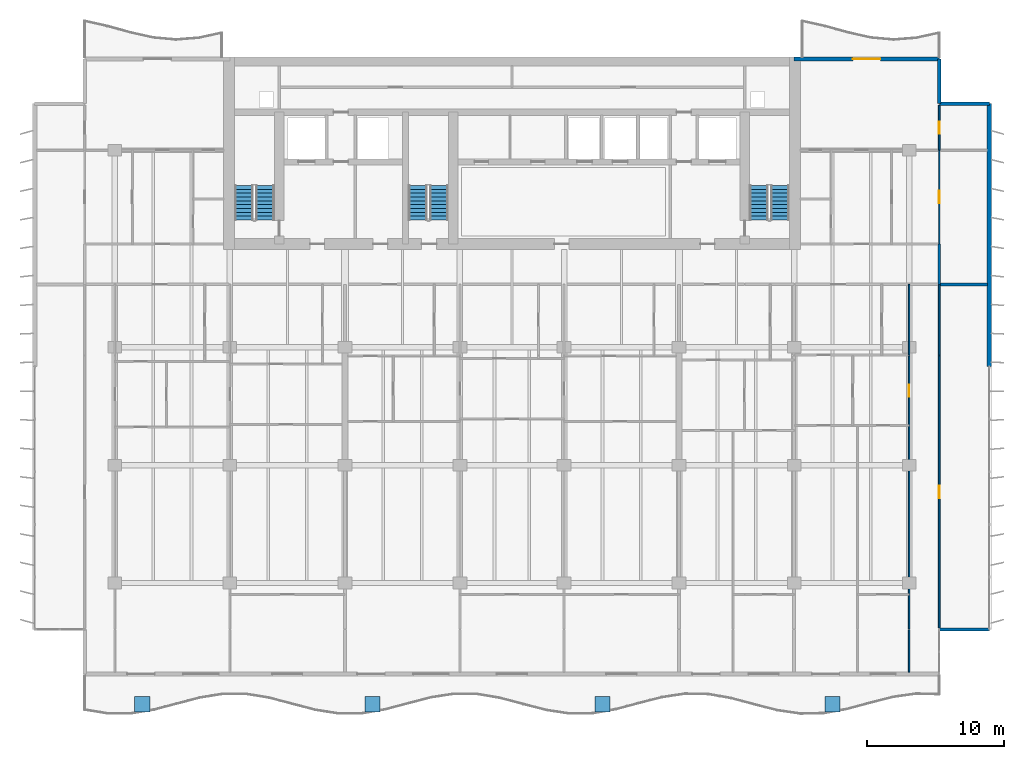
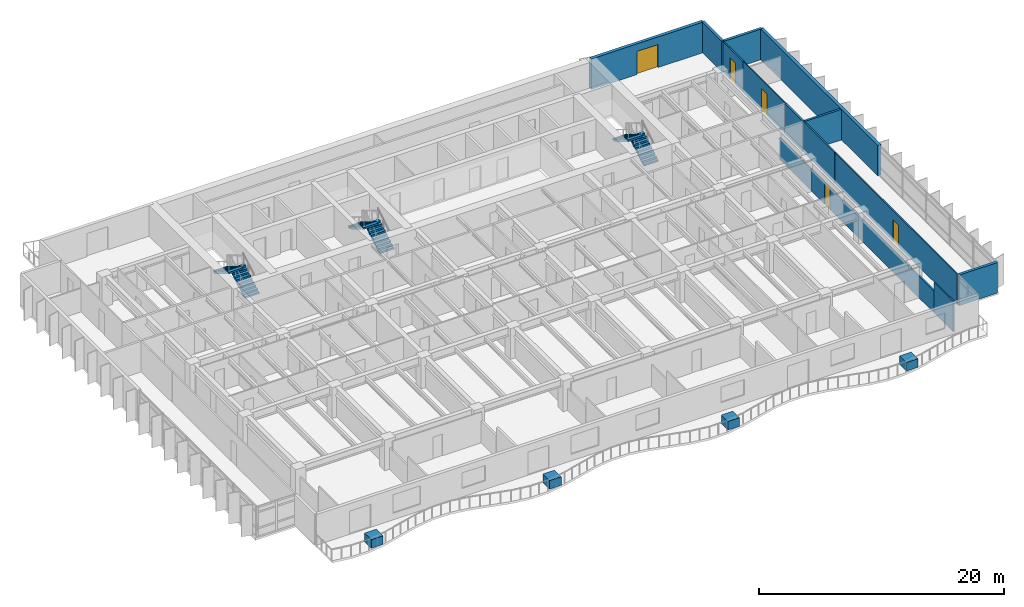
# One storey, part 11 of 15: 14 walls, 6 stair flights, 5 doors, 4 discrete accessories, 5 openings, 3 elements without a shape of their own.
"""IFC4 building model written with IfcOpenShell, lengths in metres."""

from ifc_helpers import new_model, si_unit, direction, frame, frame_2d, origin, origin_2d, place, context, subcontext, project, spatial, polyline, rectangle, outline, extrude, material, layer, layer_set, type_object, element, fill, aggregate, save


model = new_model("IFC4")

# Units and contexts
model_context = context("Model", 3, precision=1e-05, world=origin(), true_north=direction((0.0, 1.0)))
body_context = subcontext(model_context, "Body", "Model", "MODEL_VIEW")
ifc_project = project(units=[si_unit("LENGTHUNIT", "METRE"), si_unit("AREAUNIT", "SQUARE_METRE"), si_unit("VOLUMEUNIT", "CUBIC_METRE"), si_unit("PLANEANGLEUNIT", "RADIAN"), si_unit("MASSUNIT", "GRAM", prefix="KILO")], contexts=[model_context])

# Site, building, storey
site_placement = place(None, origin())
site = spatial("IfcSite", under=ifc_project, at=site_placement, CompositionType="ELEMENT")
building_placement = place(site_placement, origin())
building = spatial("IfcBuilding", under=site, at=building_placement, Name="Caelmar Bay Residences", CompositionType="ELEMENT")
storey_placement = place(building_placement, frame((0.0, 0.0, 132.300048828125)))
storey = spatial("IfcBuildingStorey", under=building, at=storey_placement, Name="L36", CompositionType="ELEMENT", Elevation=132.300048828125)

# Walls
ifc_material_1 = material(Name="Double-stud acoustic fire-rated gypsum partition 180 mm")
ifc_layer_1 = layer(ifc_material_1, 0.179931640625)
ifc_layer_set_1 = layer_set([ifc_layer_1], Name="Double-stud acoustic fire-rated gypsum partition 180 mm")
wall_type_1 = type_object("IfcWallType", Name="W-COR-200", PredefinedType="PARTITIONING", material=ifc_layer_set_1)
wall_1_placement = place(storey_placement, frame((70.10009765625, 34.0048828125, 0.0), z_axis=(0.0, 0.0, 1.0), x_axis=(0.0, 1.0, 0.0)))
element("IfcWall", 1, at=wall_1_placement, inside=storey, type_object=wall_type_1, Name="L36 Partition Wall V068", PredefinedType="PARTITIONING", context=body_context, shape_type="SweptSolid", body=[
    extrude(rectangle(XDim=2.945068359375, YDim=0.179931640625, at=frame_2d((1.47265625, 0.0))), origin(), (0.0, 0.0, 1.0), 3.050048828125),
])
ifc_material_2 = material(Name="Precast concrete f'c 40 MPa (6,000 psi)", Category="concrete")
ifc_layer_2 = layer(ifc_material_2, 0.25)
ifc_layer_set_2 = layer_set([ifc_layer_2], Name="Precast concrete f'c 40 MPa (6,000 psi)")
wall_type_2 = type_object("IfcWallType", Name="W-EXT-250", PredefinedType="ELEMENTEDWALL", material=ifc_layer_set_2)
wall_2_placement = place(storey_placement, frame((70.10009765625, 8.800048828125, 0.0), z_axis=(0.0, 0.0, 1.0), x_axis=(1.0, 0.0, 0.0)))
element("IfcWall", 2, at=wall_2_placement, inside=storey, type_object=wall_type_2, Name="L36 SE Notch Return Wall", PredefinedType="ELEMENTEDWALL", context=body_context, shape_type="SweptSolid", body=[
    extrude(rectangle(XDim=3.64990234375, YDim=0.25, at=frame_2d((1.824951171875, 0.0))), origin(), (0.0, 0.0, 1.0), 3.050048828125),
])
wall_3_placement = place(storey_placement, frame((70.10009765625, 50.449951171875, 0.0), z_axis=(0.0, 0.0, 1.0), x_axis=(0.0, -1.0, 0.0)))
element("IfcWall", 3, at=wall_3_placement, inside=storey, type_object=wall_type_2, Name="L36 NNE-V Notch Wall", PredefinedType="ELEMENTEDWALL", context=body_context, shape_type="SweptSolid", body=[
    extrude(rectangle(XDim=3.25, YDim=0.25, at=frame_2d((1.625, 0.0))), origin(), (0.0, 0.0, 1.0), 3.050048828125),
])
wall_4_placement = place(storey_placement, frame((70.10009765625, 47.199951171875, 0.0), z_axis=(0.0, 0.0, 1.0), x_axis=(1.0, 0.0, 0.0)))
element("IfcWall", 4, at=wall_4_placement, inside=storey, type_object=wall_type_2, Name="L36 NNE-H Notch Wall", PredefinedType="ELEMENTEDWALL", context=body_context, shape_type="SweptSolid", body=[
    extrude(rectangle(XDim=3.64990234375, YDim=0.25, at=frame_2d((1.824951171875, 0.0))), origin(), (0.0, 0.0, 1.0), 3.050048828125),
])
ifc_layer_3 = layer(ifc_material_2, 0.300048828125)
ifc_layer_set_3 = layer_set([ifc_layer_3], Name="Precast concrete f'c 40 MPa (6,000 psi)")
wall_type_3 = type_object("IfcWallType", Name="W-EXT-300", PredefinedType="STANDARD", material=ifc_layer_set_3)
wall_5_placement = place(storey_placement, frame((73.75, 47.199951171875, 0.0), z_axis=(0.0, 0.0, 1.0), x_axis=(0.0, -1.0, 0.0)))
element("IfcWall", 5, at=wall_5_placement, inside=storey, type_object=wall_type_3, Name="L36 East Rear Exterior Wall", PredefinedType="STANDARD", context=body_context, shape_type="SweptSolid", body=[
    extrude(rectangle(XDim=19.199951171875, YDim=0.300048828125, at=frame_2d((9.60009765625, 0.0))), origin(), (0.0, 0.0, 1.0), 3.050048828125),
])

# Wall, opening, door
wall_6_placement = place(storey_placement, frame((59.5, 50.449951171875, 0.0), z_axis=(0.0, 0.0, 1.0), x_axis=(1.0, 0.0, 0.0)))
wall_6 = element("IfcWall", 6, at=wall_6_placement, inside=storey, type_object=wall_type_3, Name="L36 North-East Wing Exterior Wall", PredefinedType="STANDARD", context=body_context, shape_type="SweptSolid", body=[
    extrude(rectangle(XDim=10.60009765625, YDim=0.300048828125, at=frame_2d((5.300048828125, 0.0))), origin(), (0.0, 0.0, 1.0), 3.050048828125),
])
opening_1_placement = place(wall_6_placement, frame((4.300048828125, 0.0, 0.0)))
opening_1 = element("IfcOpeningElement", 7, at=opening_1_placement, cuts=wall_6, Name="Opening L36-BDNE", PredefinedType="OPENING", context=body_context, shape_type="SweptSolid", body=[
    extrude(rectangle(XDim=2.0, YDim=2.300048828125, at=frame_2d((1.0, 1.14990234375))), frame((0.0, 0.159912109375, 0.0), z_axis=(0.0, -1.0, 0.0), x_axis=(1.0, 0.0, 0.0)), (0.0, 0.0, 1.0), 0.320068359375),
])
ifc_material_3 = material(Name="Anodised bronze thermally broken sliding glass door", Category="glass")
ifc_layer_4 = layer(ifc_material_3, 0.050048828125)
ifc_layer_set_4 = layer_set([ifc_layer_4], Name="Anodised bronze thermally broken sliding glass door")
door_type_1 = type_object("IfcDoorType", Name="D-BAL-2000", OperationType="DOUBLE_DOOR_SLIDING", PredefinedType="DOOR", material=ifc_layer_set_4)
door_1_placement = place(opening_1_placement, origin())
door_1 = element("IfcDoor", 8, at=door_1_placement, inside=storey, type_object=door_type_1, Name="L36 North-East Balcony Door", OperationType="DOUBLE_DOOR_SLIDING", OverallHeight=2.300048828125, OverallWidth=2.0, PredefinedType="DOOR", context=body_context, shape_type="SweptSolid", body=[
    extrude(rectangle(XDim=2.0, YDim=2.300048828125, at=frame_2d((1.0, 1.14990234375))), frame((0.0, 0.02490234375, 0.0), z_axis=(0.0, -1.0, 0.0), x_axis=(1.0, 0.0, 0.0)), (0.0, 0.0, 1.0), 0.050048828125),
])
fill(opening_1, door_1)

ifc_material_4 = material(Name="Anodised bronze framed acoustic sliding study partition 100 mm")
ifc_layer_5 = layer(ifc_material_4, 0.10009765625)
ifc_layer_set_5 = layer_set([ifc_layer_5], Name="Anodised bronze framed acoustic sliding study partition 100 mm")
wall_type_4 = type_object("IfcWallType", Name="W-MOV-100", PredefinedType="MOVABLE", material=ifc_layer_set_5)
wall_7_placement = place(storey_placement, frame((70.10009765625, 36.955078125, 0.0), z_axis=(0.0, 0.0, 1.0), x_axis=(0.0, 1.0, 0.0)))
wall_7 = element("IfcWall", 9, at=wall_7_placement, inside=storey, type_object=wall_type_4, Name="L36 Partition Wall V069", PredefinedType="MOVABLE", context=body_context, shape_type="SweptSolid", body=[
    extrude(rectangle(XDim=6.844970703125, YDim=0.10009765625, at=frame_2d((3.42236328125, 0.0))), origin(), (0.0, 0.0, 1.0), 3.050048828125),
])
opening_2_placement = place(wall_7_placement, frame((2.972412109375, 0.0, 0.0)))
opening_2 = element("IfcOpeningElement", 10, at=opening_2_placement, cuts=wall_7, Name="Opening D-L36-175", PredefinedType="OPENING", context=body_context, shape_type="SweptSolid", body=[
    extrude(rectangle(XDim=0.89990234375, YDim=2.14990234375, at=frame_2d((0.449951171875, 1.074951171875))), frame((0.0, 0.06005859375, 0.0), z_axis=(0.0, -1.0, 0.0), x_axis=(1.0, 0.0, 0.0)), (0.0, 0.0, 1.0), 0.1201171875),
])
ifc_material_5 = material(Name="Solid walnut timber interior door leaf and frame", Category="wood")
ifc_layer_6 = layer(ifc_material_5, 0.050048828125)
ifc_layer_set_6 = layer_set([ifc_layer_6], Name="Solid walnut timber interior door leaf and frame")
door_type_2 = type_object("IfcDoorType", Name="D-ROOM-900", OperationType="NOTDEFINED", PredefinedType="DOOR", material=ifc_layer_set_6)
door_2_placement = place(opening_2_placement, origin())
door_2 = element("IfcDoor", 11, at=door_2_placement, inside=storey, type_object=door_type_2, Name="L36 Residence EA Sun Study Door", OperationType="SINGLE_SWING_RIGHT", OverallHeight=2.14990234375, OverallWidth=0.89990234375, PredefinedType="DOOR", context=body_context, shape_type="SweptSolid", body=[
    extrude(rectangle(XDim=0.89990234375, YDim=2.14990234375, at=frame_2d((0.449951171875, 1.074951171875))), frame((0.0, 0.02490234375, 0.0), z_axis=(0.0, -1.0, 0.0), x_axis=(1.0, 0.0, 0.0)), (0.0, 0.0, 1.0), 0.050048828125),
])
fill(opening_2, door_2)

# Wall
ifc_material_6 = material(Name="Acoustic metal-stud gypsum partition 120 mm")
ifc_layer_7 = layer(ifc_material_6, 0.1201171875)
ifc_layer_set_7 = layer_set([ifc_layer_7], Name="Acoustic metal-stud gypsum partition 120 mm")
wall_type_5 = type_object("IfcWallType", Name="W-PRT-120", PredefinedType="PARTITIONING", material=ifc_layer_set_7)
wall_8_placement = place(storey_placement, frame((67.89990234375, 5.695068359375, 0.0), z_axis=(0.0, 0.0, 1.0), x_axis=(0.0, 1.0, 0.0)))
element("IfcWall", 12, at=wall_8_placement, inside=storey, type_object=wall_type_5, Name="L36 Partition Wall V063", PredefinedType="PARTITIONING", context=body_context, shape_type="SweptSolid", body=[
    extrude(rectangle(XDim=3.10498046875, YDim=0.1201171875, at=frame_2d((1.552490234375, 0.0))), origin(), (0.0, 0.0, 1.0), 3.050048828125),
])

# Wall, opening, door
wall_9_placement = place(storey_placement, frame((67.89990234375, 8.840087890625, 0.0), z_axis=(0.0, 0.0, 1.0), x_axis=(0.0, 1.0, 0.0)))
wall_9 = element("IfcWall", 13, at=wall_9_placement, inside=storey, type_object=wall_type_5, Name="L36 Partition Wall V064", PredefinedType="PARTITIONING", context=body_context, shape_type="SweptSolid", body=[
    extrude(rectangle(XDim=19.93994140625, YDim=0.1201171875, at=frame_2d((9.969970703125, 0.0))), origin(), (0.0, 0.0, 1.0), 2.174072265625),
])
opening_3_placement = place(wall_9_placement, frame((16.945068359375, 0.0, 0.0)))
opening_3 = element("IfcOpeningElement", 14, at=opening_3_placement, cuts=wall_9, Name="Opening D-L36-160", PredefinedType="OPENING", context=body_context, shape_type="SweptSolid", body=[
    extrude(rectangle(XDim=0.89990234375, YDim=2.1240234375, at=frame_2d((0.449951171875, 1.06201171875))), frame((0.0, 0.070068359375, 0.0), z_axis=(0.0, -1.0, 0.0), x_axis=(1.0, 0.0, 0.0)), (0.0, 0.0, 1.0), 0.14013671875),
])
door_3_placement = place(opening_3_placement, origin())
door_3 = element("IfcDoor", 15, at=door_3_placement, inside=storey, type_object=door_type_2, Name="L36 Residence 04 East Apartment Hall Door", OperationType="SINGLE_SWING_LEFT", OverallHeight=2.1240234375, OverallWidth=0.89990234375, PredefinedType="DOOR", context=body_context, shape_type="SweptSolid", body=[
    extrude(rectangle(XDim=0.89990234375, YDim=2.1240234375, at=frame_2d((0.449951171875, 1.06201171875))), frame((0.0, 0.02490234375, 0.0), z_axis=(0.0, -1.0, 0.0), x_axis=(1.0, 0.0, 0.0)), (0.0, 0.0, 1.0), 0.050048828125),
])
fill(opening_3, door_3)

# Wall
wall_10_placement = place(storey_placement, frame((67.89990234375, 28.840087890625, 0.0), z_axis=(0.0, 0.0, 1.0), x_axis=(0.0, 1.0, 0.0)))
element("IfcWall", 16, at=wall_10_placement, inside=storey, type_object=wall_type_5, Name="L36 Partition Wall V065", PredefinedType="PARTITIONING", context=body_context, shape_type="SweptSolid", body=[
    extrude(rectangle(XDim=5.159912109375, YDim=0.1201171875, at=frame_2d((2.580078125, 0.0))), origin(), (0.0, 0.0, 1.0), 2.174072265625),
])

# Wall, opening, door
wall_11_placement = place(storey_placement, frame((70.10009765625, 8.919921875, 0.0), z_axis=(0.0, 0.0, 1.0), x_axis=(0.0, 1.0, 0.0)))
wall_11 = element("IfcWall", 17, at=wall_11_placement, inside=storey, type_object=wall_type_5, Name="L36 Partition Wall V066", PredefinedType="PARTITIONING", context=body_context, shape_type="SweptSolid", body=[
    extrude(rectangle(XDim=19.860107421875, YDim=0.1201171875, at=frame_2d((9.93017578125, 0.0))), origin(), (0.0, 0.0, 1.0), 3.050048828125),
])
opening_4_placement = place(wall_11_placement, frame((9.47998046875, 0.0, 0.0)))
opening_4 = element("IfcOpeningElement", 18, at=opening_4_placement, cuts=wall_11, Name="Opening D-L36-162", PredefinedType="OPENING", context=body_context, shape_type="SweptSolid", body=[
    extrude(rectangle(XDim=0.89990234375, YDim=2.14990234375, at=frame_2d((0.449951171875, 1.074951171875))), frame((0.0, 0.070068359375, 0.0), z_axis=(0.0, -1.0, 0.0), x_axis=(1.0, 0.0, 0.0)), (0.0, 0.0, 1.0), 0.14013671875),
])
door_4_placement = place(opening_4_placement, origin())
door_4 = element("IfcDoor", 19, at=door_4_placement, inside=storey, type_object=door_type_2, Name="L36 Residence 04 Penthouse East Salon Door", OperationType="SINGLE_SWING_LEFT", OverallHeight=2.14990234375, OverallWidth=0.89990234375, PredefinedType="DOOR", context=body_context, shape_type="SweptSolid", body=[
    extrude(rectangle(XDim=0.89990234375, YDim=2.14990234375, at=frame_2d((0.449951171875, 1.074951171875))), frame((0.0, 0.02490234375, 0.0), z_axis=(0.0, -1.0, 0.0), x_axis=(1.0, 0.0, 0.0)), (0.0, 0.0, 1.0), 0.050048828125),
])
fill(opening_4, door_4)

# Wall
wall_12_placement = place(storey_placement, frame((70.10009765625, 28.840087890625, 0.0), z_axis=(0.0, 0.0, 1.0), x_axis=(0.0, 1.0, 0.0)))
element("IfcWall", 20, at=wall_12_placement, inside=storey, type_object=wall_type_5, Name="L36 Partition Wall V067", PredefinedType="PARTITIONING", context=body_context, shape_type="SweptSolid", body=[
    extrude(rectangle(XDim=5.159912109375, YDim=0.1201171875, at=frame_2d((2.580078125, 0.0))), origin(), (0.0, 0.0, 1.0), 3.050048828125),
])

# Wall, opening, door
wall_13_placement = place(storey_placement, frame((70.10009765625, 43.804931640625, 0.0), z_axis=(0.0, 0.0, 1.0), x_axis=(0.0, 1.0, 0.0)))
wall_13 = element("IfcWall", 21, at=wall_13_placement, inside=storey, type_object=wall_type_5, Name="L36 Partition Wall V070", PredefinedType="PARTITIONING", context=body_context, shape_type="SweptSolid", body=[
    extrude(rectangle(XDim=3.275146484375, YDim=0.1201171875, at=frame_2d((1.6376953125, 0.0))), origin(), (0.0, 0.0, 1.0), 3.050048828125),
])
opening_5_placement = place(wall_13_placement, frame((1.1875, 0.0, 0.0)))
opening_5 = element("IfcOpeningElement", 22, at=opening_5_placement, cuts=wall_13, Name="Opening D-L36-176", PredefinedType="OPENING", context=body_context, shape_type="SweptSolid", body=[
    extrude(rectangle(XDim=0.89990234375, YDim=2.14990234375, at=frame_2d((0.449951171875, 1.074951171875))), frame((0.0, 0.070068359375, 0.0), z_axis=(0.0, -1.0, 0.0), x_axis=(1.0, 0.0, 0.0)), (0.0, 0.0, 1.0), 0.14013671875),
])
door_5_placement = place(opening_5_placement, origin())
door_5 = element("IfcDoor", 23, at=door_5_placement, inside=storey, type_object=door_type_2, Name="L36 Residence EA North Sitting Alcove Door", OperationType="SINGLE_SWING_LEFT", OverallHeight=2.14990234375, OverallWidth=0.89990234375, PredefinedType="DOOR", context=body_context, shape_type="SweptSolid", body=[
    extrude(rectangle(XDim=0.89990234375, YDim=2.14990234375, at=frame_2d((0.449951171875, 1.074951171875))), frame((0.0, 0.02490234375, 0.0), z_axis=(0.0, -1.0, 0.0), x_axis=(1.0, 0.0, 0.0)), (0.0, 0.0, 1.0), 0.050048828125),
])
fill(opening_5, door_5)

# Wall
ifc_material_7 = material(Name="Acoustic twin-stud fire-rated inter-tenancy partition 200 mm")
ifc_layer_8 = layer(ifc_material_7, 0.199951171875)
ifc_layer_set_8 = layer_set([ifc_layer_8], Name="Acoustic twin-stud fire-rated inter-tenancy partition 200 mm")
wall_type_6 = type_object("IfcWallType", Name="W-PTY-200", PredefinedType="PARTITIONING", material=ifc_layer_set_8)
wall_14_placement = place(storey_placement, frame((70.10498046875, 34.0, 0.0), z_axis=(0.0, 0.0, 1.0), x_axis=(1.0, 0.0, 0.0)))
element("IfcWall", 24, at=wall_14_placement, inside=storey, type_object=wall_type_6, Name="L36 Partition Wall H097", PredefinedType="PARTITIONING", context=body_context, shape_type="SweptSolid", body=[
    extrude(rectangle(XDim=3.5, YDim=0.199951171875, at=frame_2d((1.75, 0.0))), origin(), (0.0, 0.0, 1.0), 3.050048828125),
])

# Stair, stair flights
ifc_material_8 = material(Name="Concrete f'c 40 MPa (6,000 psi)", Category="concrete")
stair_type = type_object("IfcStairType", Name="ST-TYP-165", PredefinedType="HALF_TURN_STAIR", material=ifc_material_8)
stair_1_placement = place(storey_placement, origin())
stair_1 = element("IfcStair", 25, at=stair_1_placement, inside=storey, type_object=stair_type, Name="L36 West Smokeproof Exit Stair ST1", PredefinedType="HALF_TURN_STAIR")
stair_flight_type = type_object("IfcStairFlightType", Name="STF-1350", PredefinedType="STRAIGHT", material=ifc_material_8)
stair_flight_1_placement = place(storey_placement, frame((20.875, 38.699951171875, 0.0), z_axis=(0.0, 0.0, 1.0), x_axis=(0.0, 1.0, 0.0)))
stair_flight_1 = element("IfcStairFlight", 26, at=stair_flight_1_placement, type_object=stair_flight_type, Name="ST1 flight 1", NumberOfRisers=10, NumberOfTreads=9, PredefinedType="STRAIGHT", RiserHeight=0.165, TreadLength=0.28, context=body_context, shape_type="SweptSolid", body=[
    extrude(outline(polyline([(0.0, 0.0), (0.0, 0.1650390625), (0.280029296875, 0.1650390625), (0.280029296875, 0.330078125), (0.56005859375, 0.330078125), (0.56005859375, 0.4951171875), (0.840087890625, 0.4951171875), (0.840087890625, 0.659912109375), (1.1201171875, 0.659912109375), (1.1201171875, 0.824951171875), (1.39990234375, 0.824951171875), (1.39990234375, 0.989990234375), (1.679931640625, 0.989990234375), (1.679931640625, 1.155029296875), (1.9599609375, 1.155029296875), (1.9599609375, 1.320068359375), (2.239990234375, 1.320068359375), (2.239990234375, 1.485107421875), (2.52001953125, 1.485107421875), (2.52001953125, 1.64990234375), (2.52001953125, 1.31103515625), (0.295166015625, 0.0), (0.0, 0.0)])), frame((0.0, 0.675048828125, 0.0), z_axis=(0.0, -1.0, 0.0), x_axis=(1.0, 0.0, 0.0)), (0.0, 0.0, 1.0), 1.35009765625),
])
stair_flight_2_placement = place(storey_placement, frame((19.324951171875, 41.219970703125, 1.64990234375), z_axis=(0.0, 0.0, 1.0), x_axis=(0.0, -1.0, 0.0)))
stair_flight_2 = element("IfcStairFlight", 27, at=stair_flight_2_placement, type_object=stair_flight_type, Name="ST1 flight 2", NumberOfRisers=10, NumberOfTreads=9, PredefinedType="STRAIGHT", RiserHeight=0.165, TreadLength=0.28, context=body_context, shape_type="SweptSolid", body=[
    extrude(outline(polyline([(0.0, 0.0), (0.0, 0.1650390625), (0.280029296875, 0.1650390625), (0.280029296875, 0.330078125), (0.56005859375, 0.330078125), (0.56005859375, 0.4951171875), (0.840087890625, 0.4951171875), (0.840087890625, 0.659912109375), (1.1201171875, 0.659912109375), (1.1201171875, 0.824951171875), (1.39990234375, 0.824951171875), (1.39990234375, 0.989990234375), (1.679931640625, 0.989990234375), (1.679931640625, 1.155029296875), (1.9599609375, 1.155029296875), (1.9599609375, 1.320068359375), (2.239990234375, 1.320068359375), (2.239990234375, 1.485107421875), (2.52001953125, 1.485107421875), (2.52001953125, 1.64990234375), (2.52001953125, 1.31103515625), (0.295166015625, 0.0), (0.0, 0.0)])), frame((0.0, 0.675048828125, 0.0), z_axis=(0.0, -1.0, 0.0), x_axis=(1.0, 0.0, 0.0)), (0.0, 0.0, 1.0), 1.35009765625),
])
aggregate(stair_1, [stair_flight_1, stair_flight_2])

stair_2_placement = place(storey_placement, origin())
stair_2 = element("IfcStair", 28, at=stair_2_placement, inside=storey, type_object=stair_type, Name="L36 East Smokeproof Exit Stair ST2", PredefinedType="HALF_TURN_STAIR")
stair_flight_3_placement = place(storey_placement, frame((58.47509765625, 38.699951171875, 0.0), z_axis=(0.0, 0.0, 1.0), x_axis=(0.0, 1.0, 0.0)))
stair_flight_3 = element("IfcStairFlight", 29, at=stair_flight_3_placement, type_object=stair_flight_type, Name="ST2 flight 1", NumberOfRisers=10, NumberOfTreads=9, PredefinedType="STRAIGHT", RiserHeight=0.165, TreadLength=0.28, context=body_context, shape_type="SweptSolid", body=[
    extrude(outline(polyline([(0.0, 0.0), (0.0, 0.1650390625), (0.280029296875, 0.1650390625), (0.280029296875, 0.330078125), (0.56005859375, 0.330078125), (0.56005859375, 0.4951171875), (0.840087890625, 0.4951171875), (0.840087890625, 0.659912109375), (1.1201171875, 0.659912109375), (1.1201171875, 0.824951171875), (1.39990234375, 0.824951171875), (1.39990234375, 0.989990234375), (1.679931640625, 0.989990234375), (1.679931640625, 1.155029296875), (1.9599609375, 1.155029296875), (1.9599609375, 1.320068359375), (2.239990234375, 1.320068359375), (2.239990234375, 1.485107421875), (2.52001953125, 1.485107421875), (2.52001953125, 1.64990234375), (2.52001953125, 1.31103515625), (0.295166015625, 0.0), (0.0, 0.0)])), frame((0.0, 0.675048828125, 0.0), z_axis=(0.0, -1.0, 0.0), x_axis=(1.0, 0.0, 0.0)), (0.0, 0.0, 1.0), 1.35009765625),
])
stair_flight_4_placement = place(storey_placement, frame((56.925048828125, 41.219970703125, 1.64990234375), z_axis=(0.0, 0.0, 1.0), x_axis=(0.0, -1.0, 0.0)))
stair_flight_4 = element("IfcStairFlight", 30, at=stair_flight_4_placement, type_object=stair_flight_type, Name="ST2 flight 2", NumberOfRisers=10, NumberOfTreads=9, PredefinedType="STRAIGHT", RiserHeight=0.165, TreadLength=0.28, context=body_context, shape_type="SweptSolid", body=[
    extrude(outline(polyline([(0.0, 0.0), (0.0, 0.1650390625), (0.280029296875, 0.1650390625), (0.280029296875, 0.330078125), (0.56005859375, 0.330078125), (0.56005859375, 0.4951171875), (0.840087890625, 0.4951171875), (0.840087890625, 0.659912109375), (1.1201171875, 0.659912109375), (1.1201171875, 0.824951171875), (1.39990234375, 0.824951171875), (1.39990234375, 0.989990234375), (1.679931640625, 0.989990234375), (1.679931640625, 1.155029296875), (1.9599609375, 1.155029296875), (1.9599609375, 1.320068359375), (2.239990234375, 1.320068359375), (2.239990234375, 1.485107421875), (2.52001953125, 1.485107421875), (2.52001953125, 1.64990234375), (2.52001953125, 1.31103515625), (0.295166015625, 0.0), (0.0, 0.0)])), frame((0.0, 0.675048828125, 0.0), z_axis=(0.0, -1.0, 0.0), x_axis=(1.0, 0.0, 0.0)), (0.0, 0.0, 1.0), 1.35009765625),
])
aggregate(stair_2, [stair_flight_3, stair_flight_4])

stair_3_placement = place(storey_placement, origin())
stair_3 = element("IfcStair", 31, at=stair_3_placement, inside=storey, type_object=stair_type, Name="L36 Central Smokeproof Exit Stair ST3", PredefinedType="HALF_TURN_STAIR")
stair_flight_5_placement = place(storey_placement, frame((33.574951171875, 38.699951171875, 0.0), z_axis=(0.0, 0.0, 1.0), x_axis=(0.0, 1.0, 0.0)))
stair_flight_5 = element("IfcStairFlight", 32, at=stair_flight_5_placement, type_object=stair_flight_type, Name="ST3 flight 1", NumberOfRisers=10, NumberOfTreads=9, PredefinedType="STRAIGHT", RiserHeight=0.165, TreadLength=0.28, context=body_context, shape_type="SweptSolid", body=[
    extrude(outline(polyline([(0.0, 0.0), (0.0, 0.1650390625), (0.280029296875, 0.1650390625), (0.280029296875, 0.330078125), (0.56005859375, 0.330078125), (0.56005859375, 0.4951171875), (0.840087890625, 0.4951171875), (0.840087890625, 0.659912109375), (1.1201171875, 0.659912109375), (1.1201171875, 0.824951171875), (1.39990234375, 0.824951171875), (1.39990234375, 0.989990234375), (1.679931640625, 0.989990234375), (1.679931640625, 1.155029296875), (1.9599609375, 1.155029296875), (1.9599609375, 1.320068359375), (2.239990234375, 1.320068359375), (2.239990234375, 1.485107421875), (2.52001953125, 1.485107421875), (2.52001953125, 1.64990234375), (2.52001953125, 1.31103515625), (0.295166015625, 0.0), (0.0, 0.0)])), frame((0.0, 0.675048828125, 0.0), z_axis=(0.0, -1.0, 0.0), x_axis=(1.0, 0.0, 0.0)), (0.0, 0.0, 1.0), 1.35009765625),
])
stair_flight_6_placement = place(storey_placement, frame((32.02490234375, 41.219970703125, 1.64990234375), z_axis=(0.0, 0.0, 1.0), x_axis=(0.0, -1.0, 0.0)))
stair_flight_6 = element("IfcStairFlight", 33, at=stair_flight_6_placement, type_object=stair_flight_type, Name="ST3 flight 2", NumberOfRisers=10, NumberOfTreads=9, PredefinedType="STRAIGHT", RiserHeight=0.165, TreadLength=0.28, context=body_context, shape_type="SweptSolid", body=[
    extrude(outline(polyline([(0.0, 0.0), (0.0, 0.1650390625), (0.280029296875, 0.1650390625), (0.280029296875, 0.330078125), (0.56005859375, 0.330078125), (0.56005859375, 0.4951171875), (0.840087890625, 0.4951171875), (0.840087890625, 0.659912109375), (1.1201171875, 0.659912109375), (1.1201171875, 0.824951171875), (1.39990234375, 0.824951171875), (1.39990234375, 0.989990234375), (1.679931640625, 0.989990234375), (1.679931640625, 1.155029296875), (1.9599609375, 1.155029296875), (1.9599609375, 1.320068359375), (2.239990234375, 1.320068359375), (2.239990234375, 1.485107421875), (2.52001953125, 1.485107421875), (2.52001953125, 1.64990234375), (2.52001953125, 1.31103515625), (0.295166015625, 0.0), (0.0, 0.0)])), frame((0.0, 0.675048828125, 0.0), z_axis=(0.0, -1.0, 0.0), x_axis=(1.0, 0.0, 0.0)), (0.0, 0.0, 1.0), 1.35009765625),
])
aggregate(stair_3, [stair_flight_5, stair_flight_6])

# Discrete accessories
ifc_material_9 = material(Name="Architectural bronze GRC planter trough with volcanic-lapilli substrate")
discrete_accessory_type = type_object("IfcDiscreteAccessoryType", Name="ACC-PLANTER-1100", PredefinedType="USERDEFINED", material=ifc_material_9)
for number, where, z_axis, x_axis, name in (
    (34, (11.89990234375, 3.34326171875, 0.0), (0.0, 0.0, 1.0), (1.0, 0.0, 0.0), "L36 Balcony Structural Tree Planter 1"),
    (35, (28.699951171875, 3.34326171875, 0.0), (0.0, 0.0, 1.0), (1.0, 0.0, 0.0), "L36 Balcony Structural Tree Planter 2"),
    (36, (45.5, 3.34326171875, 0.0), (0.0, 0.0, 1.0), (1.0, 0.0, 0.0), "L36 Balcony Structural Tree Planter 3"),
    (37, (62.300048828125, 3.34326171875, 0.0), (0.0, 0.0, 1.0), (1.0, 0.0, 0.0), "L36 Balcony Structural Tree Planter 4"),
):
    element("IfcDiscreteAccessory", number, at=place(storey_placement, frame(where, z_axis=z_axis, x_axis=x_axis)), inside=storey, type_object=discrete_accessory_type, Name=name, ObjectType="PLANTER", PredefinedType="USERDEFINED", context=body_context, shape_type="SweptSolid", body=[
        extrude(rectangle(XDim=1.10009765625, YDim=1.10009765625, at=origin_2d()), origin(), (0.0, 0.0, 1.0), 0.85009765625),
    ])

save(model, "model.ifc")
